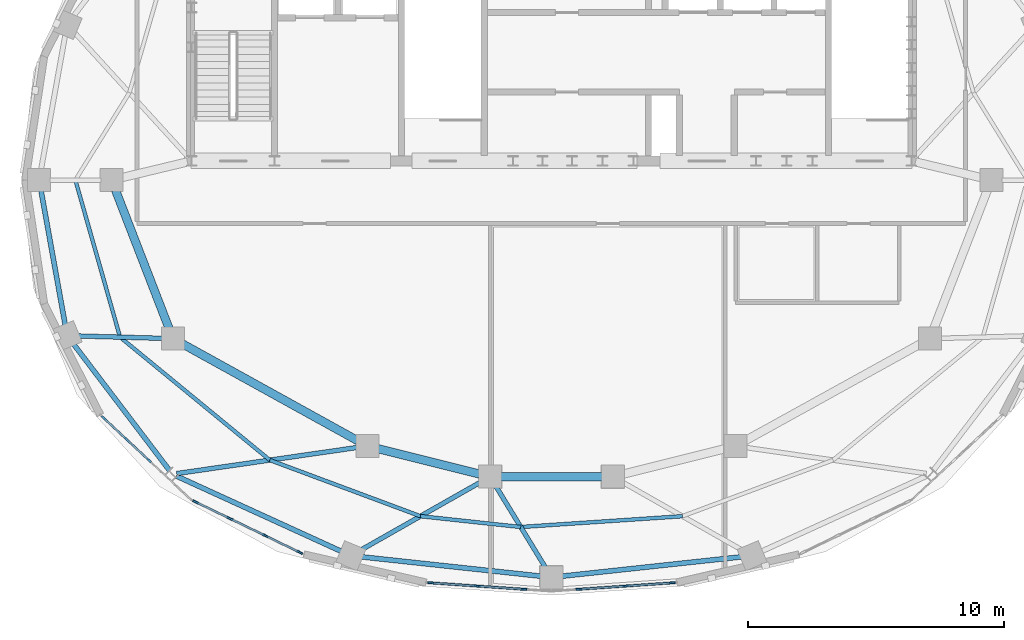
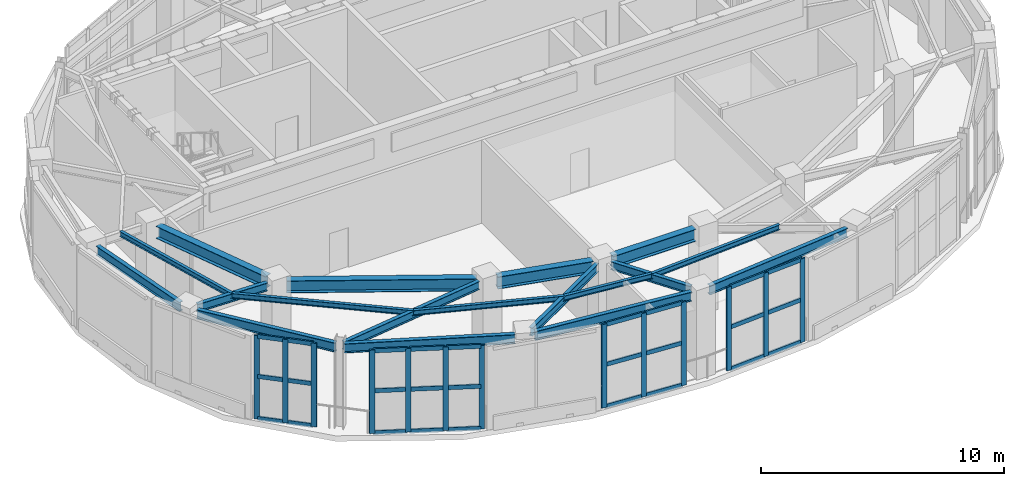
# One storey, part 2 of 10: 40 members, 18 beams, 4 elements without a shape of their own.
"""IFC4 building model written with IfcOpenShell, lengths in metres."""

from ifc_helpers import new_model, si_unit, direction, frame, origin, origin_2d, place, context, subcontext, project, spatial, rectangle, i_section, extrude, material, material_profile, profile_set, type_object, element, aggregate, save


model = new_model("IFC4")

# Units and contexts
model_context = context("Model", 3, precision=1e-05, world=origin(), true_north=direction((0.0, 1.0)))
body_context = subcontext(model_context, "Body", "Model", "MODEL_VIEW")
ifc_project = project(units=[si_unit("LENGTHUNIT", "METRE"), si_unit("AREAUNIT", "SQUARE_METRE"), si_unit("VOLUMEUNIT", "CUBIC_METRE"), si_unit("PLANEANGLEUNIT", "RADIAN"), si_unit("MASSUNIT", "GRAM", prefix="KILO")], contexts=[model_context])

# Site, building, storey
site_placement = place(None, origin())
site = spatial("IfcSite", under=ifc_project, at=site_placement, CompositionType="ELEMENT")
building_placement = place(site_placement, origin())
building = spatial("IfcBuilding", under=site, at=building_placement, Name="Haldorwick Loom Tower", CompositionType="ELEMENT")
storey_placement = place(building_placement, frame((0.0, 0.0, 296.0)))
storey = spatial("IfcBuildingStorey", under=building, at=storey_placement, Name="L79", CompositionType="ELEMENT", Elevation=296.0)

# Curtain wall, members
ifc_material_1 = material(Name="Thermally Broken Anodized Aluminium Curtain Wall Framing", Category="aluminium")
curtain_wall_type = type_object("IfcCurtainWallType", Name="ARC-CW-06", PredefinedType="NOTDEFINED", material=ifc_material_1)
curtain_wall_1_placement = place(storey_placement, origin())
curtain_wall_1 = element("IfcCurtainWall", 1, at=curtain_wall_1_placement, inside=storey, type_object=curtain_wall_type, Name="L79 Facade Curtain Wall CW-06 Bay 15", PredefinedType="NOTDEFINED")
ifc_material_profile_1 = material_profile(ifc_material_1, rectangle(XDim=0.077880859375, YDim=0.22998046875, at=origin_2d()), Name="ALU_MUL_78X230", Category="aluminium")
ifc_profile_set_1 = profile_set([ifc_material_profile_1], Name="Thermally Broken Anodized Aluminium Curtain Wall Framing")
member_type_1 = type_object("IfcMemberType", Name="ARC-CWM-06", PredefinedType="MULLION", material=ifc_profile_set_1)
member_1_placement = place(storey_placement, frame((18.490478515625, 16.693603515625, 0.0), z_axis=(0.0, 0.0, 1.0), x_axis=(0.682499327702, 0.730886220753, 0.0)))
member_1 = element("IfcMember", 2, at=member_1_placement, type_object=member_type_1, Name="CW-06 mullion 1", PredefinedType="MULLION", context=body_context, shape_type="SweptSolid", body=[
    extrude(rectangle(XDim=0.077880859375, YDim=0.22998046875, at=origin_2d()), origin(), (0.0, 0.0, 1.0), 4.199951171875),
])
member_2_placement = place(storey_placement, frame((19.375, 15.867431640625, 0.0), z_axis=(0.0, 0.0, 1.0), x_axis=(0.682499327702, 0.730886220753, 0.0)))
member_2 = element("IfcMember", 3, at=member_2_placement, type_object=member_type_1, Name="CW-06 mullion 2", PredefinedType="MULLION", context=body_context, shape_type="SweptSolid", body=[
    extrude(rectangle(XDim=0.077880859375, YDim=0.22998046875, at=origin_2d()), origin(), (0.0, 0.0, 1.0), 4.199951171875),
])
member_3_placement = place(storey_placement, frame((20.259521484375, 15.04150390625, 0.0), z_axis=(0.0, 0.0, 1.0), x_axis=(0.682499327702, 0.730886220753, 0.0)))
member_3 = element("IfcMember", 4, at=member_3_placement, type_object=member_type_1, Name="CW-06 mullion 3", PredefinedType="MULLION", context=body_context, shape_type="SweptSolid", body=[
    extrude(rectangle(XDim=0.077880859375, YDim=0.22998046875, at=origin_2d()), origin(), (0.0, 0.0, 1.0), 4.199951171875),
])

curtain_wall_2_placement = place(storey_placement, origin())
curtain_wall_2 = element("IfcCurtainWall", 5, at=curtain_wall_2_placement, inside=storey, type_object=curtain_wall_type, Name="L79 Facade Curtain Wall CW-06 Bay 16", PredefinedType="NOTDEFINED")
member_4_placement = place(storey_placement, frame((22.07763671875, 13.416015625, 0.0), z_axis=(0.0, 0.0, 1.0), x_axis=(0.435823894868, 0.900031962022, 0.0)))
member_4 = element("IfcMember", 6, at=member_4_placement, type_object=member_type_1, Name="CW-06 mullion 1", PredefinedType="MULLION", context=body_context, shape_type="SweptSolid", body=[
    extrude(rectangle(XDim=0.077880859375, YDim=0.22998046875, at=origin_2d()), origin(), (0.0, 0.0, 1.0), 4.199951171875),
])
member_5_placement = place(storey_placement, frame((23.42626953125, 12.762939453125, 0.0), z_axis=(0.0, 0.0, 1.0), x_axis=(0.435823894868, 0.900031962022, 0.0)))
member_5 = element("IfcMember", 7, at=member_5_placement, type_object=member_type_1, Name="CW-06 mullion 2", PredefinedType="MULLION", context=body_context, shape_type="SweptSolid", body=[
    extrude(rectangle(XDim=0.077880859375, YDim=0.22998046875, at=origin_2d()), origin(), (0.0, 0.0, 1.0), 4.199951171875),
])
member_6_placement = place(storey_placement, frame((24.809814453125, 12.093017578125, 0.0), z_axis=(0.0, 0.0, 1.0), x_axis=(0.435823894868, 0.900031962022, 0.0)))
member_6 = element("IfcMember", 8, at=member_6_placement, type_object=member_type_1, Name="CW-06 mullion 3", PredefinedType="MULLION", context=body_context, shape_type="SweptSolid", body=[
    extrude(rectangle(XDim=0.077880859375, YDim=0.22998046875, at=origin_2d()), origin(), (0.0, 0.0, 1.0), 4.199951171875),
])
member_7_placement = place(storey_placement, frame((26.158203125, 11.440185546875, 0.0), z_axis=(0.0, 0.0, 1.0), x_axis=(0.435823894868, 0.900031962022, 0.0)))
member_7 = element("IfcMember", 9, at=member_7_placement, type_object=member_type_1, Name="CW-06 mullion 4", PredefinedType="MULLION", context=body_context, shape_type="SweptSolid", body=[
    extrude(rectangle(XDim=0.077880859375, YDim=0.22998046875, at=origin_2d()), origin(), (0.0, 0.0, 1.0), 4.199951171875),
])

curtain_wall_3_placement = place(storey_placement, origin())
curtain_wall_3 = element("IfcCurtainWall", 10, at=curtain_wall_3_placement, inside=storey, type_object=curtain_wall_type, Name="L79 Facade Curtain Wall CW-06 Bay 18", PredefinedType="NOTDEFINED")
member_8_placement = place(storey_placement, frame((31.280029296875, 10.2490234375, 0.0), z_axis=(0.0, 0.0, 1.0), x_axis=(0.068469286639, 0.997653224716, 0.0)))
member_8 = element("IfcMember", 11, at=member_8_placement, type_object=member_type_1, Name="CW-06 mullion 1", PredefinedType="MULLION", context=body_context, shape_type="SweptSolid", body=[
    extrude(rectangle(XDim=0.077880859375, YDim=0.22998046875, at=origin_2d()), origin(), (0.0, 0.0, 1.0), 4.199951171875),
])
member_9_placement = place(storey_placement, frame((33.103271484375, 10.1240234375, 0.0), z_axis=(0.0, 0.0, 1.0), x_axis=(0.068469286639, 0.997653224716, 0.0)))
member_9 = element("IfcMember", 12, at=member_9_placement, type_object=member_type_1, Name="CW-06 mullion 2", PredefinedType="MULLION", context=body_context, shape_type="SweptSolid", body=[
    extrude(rectangle(XDim=0.077880859375, YDim=0.22998046875, at=origin_2d()), origin(), (0.0, 0.0, 1.0), 4.199951171875),
])
member_10_placement = place(storey_placement, frame((34.926513671875, 9.998779296875, 0.0), z_axis=(0.0, 0.0, 1.0), x_axis=(0.068469286639, 0.997653224716, 0.0)))
member_10 = element("IfcMember", 13, at=member_10_placement, type_object=member_type_1, Name="CW-06 mullion 3", PredefinedType="MULLION", context=body_context, shape_type="SweptSolid", body=[
    extrude(rectangle(XDim=0.077880859375, YDim=0.22998046875, at=origin_2d()), origin(), (0.0, 0.0, 1.0), 4.199951171875),
])

curtain_wall_4_placement = place(storey_placement, origin())
curtain_wall_4 = element("IfcCurtainWall", 14, at=curtain_wall_4_placement, inside=storey, type_object=curtain_wall_type, Name="L79 Facade Curtain Wall CW-06 Bay 19", PredefinedType="NOTDEFINED")
member_11_placement = place(storey_placement, frame((37.073486328125, 9.998779296875, 0.0), z_axis=(0.0, 0.0, 1.0), x_axis=(-0.068469286639, 0.997653224716, 0.0)))
member_11 = element("IfcMember", 15, at=member_11_placement, type_object=member_type_1, Name="CW-06 mullion 1", PredefinedType="MULLION", context=body_context, shape_type="SweptSolid", body=[
    extrude(rectangle(XDim=0.077880859375, YDim=0.22998046875, at=origin_2d()), origin(), (0.0, 0.0, 1.0), 4.199951171875),
])
member_12_placement = place(storey_placement, frame((38.896728515625, 10.1240234375, 0.0), z_axis=(0.0, 0.0, 1.0), x_axis=(-0.068469286639, 0.997653224716, 0.0)))
member_12 = element("IfcMember", 16, at=member_12_placement, type_object=member_type_1, Name="CW-06 mullion 2", PredefinedType="MULLION", context=body_context, shape_type="SweptSolid", body=[
    extrude(rectangle(XDim=0.077880859375, YDim=0.22998046875, at=origin_2d()), origin(), (0.0, 0.0, 1.0), 4.199951171875),
])
member_13_placement = place(storey_placement, frame((40.719970703125, 10.2490234375, 0.0), z_axis=(0.0, 0.0, 1.0), x_axis=(-0.068469286639, 0.997653224716, 0.0)))
member_13 = element("IfcMember", 17, at=member_13_placement, type_object=member_type_1, Name="CW-06 mullion 3", PredefinedType="MULLION", context=body_context, shape_type="SweptSolid", body=[
    extrude(rectangle(XDim=0.077880859375, YDim=0.22998046875, at=origin_2d()), origin(), (0.0, 0.0, 1.0), 4.199951171875),
])

# Member
ifc_material_profile_2 = material_profile(ifc_material_1, rectangle(XDim=0.077880859375, YDim=0.2099609375, at=origin_2d()), Name="ALU_TRN_78X210", Category="aluminium")
ifc_profile_set_2 = profile_set([ifc_material_profile_2], Name="Thermally Broken Anodized Aluminium Curtain Wall Framing")
member_type_2 = type_object("IfcMemberType", Name="ARC-CWT-06", PredefinedType="USERDEFINED", material=ifc_profile_set_2)
member_14_placement = place(storey_placement, frame((18.518798828125, 16.666748046875, 0.0390625), z_axis=(0.730947705844, -0.68243347758, 0.0), x_axis=(0.68243347758, 0.730947705844, 0.0)))
member_14 = element("IfcMember", 18, at=member_14_placement, type_object=member_type_2, Name="CW-06 transom 1.1", ObjectType="TRANSOM", PredefinedType="USERDEFINED", context=body_context, shape_type="SweptSolid", body=[
    extrude(rectangle(XDim=0.077880859375, YDim=0.2099609375, at=origin_2d()), origin(), (0.0, 0.0, 1.0), 1.13232421875),
])

member_15_placement = place(storey_placement, frame((18.518798828125, 16.666748046875, 2.14990234375), z_axis=(0.730947705844, -0.68243347758, 0.0), x_axis=(0.68243347758, 0.730947705844, 0.0)))
member_15 = element("IfcMember", 19, at=member_15_placement, type_object=member_type_2, Name="CW-06 transom 1.2", ObjectType="TRANSOM", PredefinedType="USERDEFINED", context=body_context, shape_type="SweptSolid", body=[
    extrude(rectangle(XDim=0.077880859375, YDim=0.2099609375, at=origin_2d()), origin(), (0.0, 0.0, 1.0), 1.13232421875),
])

member_16_placement = place(storey_placement, frame((18.518798828125, 16.666748046875, 4.160888671875), z_axis=(0.730947705844, -0.68243347758, 0.0), x_axis=(0.68243347758, 0.730947705844, 0.0)))
member_16 = element("IfcMember", 20, at=member_16_placement, type_object=member_type_2, Name="CW-06 transom 1.3", ObjectType="TRANSOM", PredefinedType="USERDEFINED", context=body_context, shape_type="SweptSolid", body=[
    extrude(rectangle(XDim=0.077880859375, YDim=0.2099609375, at=origin_2d()), origin(), (0.0, 0.0, 1.0), 1.13232421875),
])

member_17_placement = place(storey_placement, frame((19.403564453125, 15.8408203125, 0.0390625), z_axis=(0.730947705844, -0.68243347758, 0.0), x_axis=(0.68243347758, 0.730947705844, 0.0)))
member_17 = element("IfcMember", 21, at=member_17_placement, type_object=member_type_2, Name="CW-06 transom 2.1", ObjectType="TRANSOM", PredefinedType="USERDEFINED", context=body_context, shape_type="SweptSolid", body=[
    extrude(rectangle(XDim=0.077880859375, YDim=0.2099609375, at=origin_2d()), origin(), (0.0, 0.0, 1.0), 1.13232421875),
])

member_18_placement = place(storey_placement, frame((19.403564453125, 15.8408203125, 2.14990234375), z_axis=(0.730947705844, -0.68243347758, 0.0), x_axis=(0.68243347758, 0.730947705844, 0.0)))
member_18 = element("IfcMember", 22, at=member_18_placement, type_object=member_type_2, Name="CW-06 transom 2.2", ObjectType="TRANSOM", PredefinedType="USERDEFINED", context=body_context, shape_type="SweptSolid", body=[
    extrude(rectangle(XDim=0.077880859375, YDim=0.2099609375, at=origin_2d()), origin(), (0.0, 0.0, 1.0), 1.13232421875),
])

member_19_placement = place(storey_placement, frame((19.403564453125, 15.8408203125, 4.160888671875), z_axis=(0.730947705844, -0.68243347758, 0.0), x_axis=(0.68243347758, 0.730947705844, 0.0)))
member_19 = element("IfcMember", 23, at=member_19_placement, type_object=member_type_2, Name="CW-06 transom 2.3", ObjectType="TRANSOM", PredefinedType="USERDEFINED", context=body_context, shape_type="SweptSolid", body=[
    extrude(rectangle(XDim=0.077880859375, YDim=0.2099609375, at=origin_2d()), origin(), (0.0, 0.0, 1.0), 1.13232421875),
])

aggregate(curtain_wall_1, [member_1, member_2, member_3, member_14, member_15, member_16, member_17, member_18, member_19])

member_20_placement = place(storey_placement, frame((22.11279296875, 13.39892578125, 0.0390625), z_axis=(0.900061394309, -0.435763108207, 0.0), x_axis=(0.435763108207, 0.900061394309, 0.0)))
member_20 = element("IfcMember", 24, at=member_20_placement, type_object=member_type_2, Name="CW-06 transom 1.1", ObjectType="TRANSOM", PredefinedType="USERDEFINED", context=body_context, shape_type="SweptSolid", body=[
    extrude(rectangle(XDim=0.077880859375, YDim=0.2099609375, at=origin_2d()), origin(), (0.0, 0.0, 1.0), 1.420166015625),
])

member_21_placement = place(storey_placement, frame((22.11279296875, 13.39892578125, 2.14990234375), z_axis=(0.900061394309, -0.435763108207, 0.0), x_axis=(0.435763108207, 0.900061394309, 0.0)))
member_21 = element("IfcMember", 25, at=member_21_placement, type_object=member_type_2, Name="CW-06 transom 1.2", ObjectType="TRANSOM", PredefinedType="USERDEFINED", context=body_context, shape_type="SweptSolid", body=[
    extrude(rectangle(XDim=0.077880859375, YDim=0.2099609375, at=origin_2d()), origin(), (0.0, 0.0, 1.0), 1.420166015625),
])

member_22_placement = place(storey_placement, frame((22.11279296875, 13.39892578125, 4.160888671875), z_axis=(0.900061394309, -0.435763108207, 0.0), x_axis=(0.435763108207, 0.900061394309, 0.0)))
member_22 = element("IfcMember", 26, at=member_22_placement, type_object=member_type_2, Name="CW-06 transom 1.3", ObjectType="TRANSOM", PredefinedType="USERDEFINED", context=body_context, shape_type="SweptSolid", body=[
    extrude(rectangle(XDim=0.077880859375, YDim=0.2099609375, at=origin_2d()), origin(), (0.0, 0.0, 1.0), 1.420166015625),
])

member_23_placement = place(storey_placement, frame((23.461181640625, 12.74609375, 0.0390625), z_axis=(0.900042846839, -0.435801415616, 0.0), x_axis=(0.435801415616, 0.900042846839, 0.0)))
member_23 = element("IfcMember", 27, at=member_23_placement, type_object=member_type_2, Name="CW-06 transom 2.1", ObjectType="TRANSOM", PredefinedType="USERDEFINED", context=body_context, shape_type="SweptSolid", body=[
    extrude(rectangle(XDim=0.077880859375, YDim=0.2099609375, at=origin_2d()), origin(), (0.0, 0.0, 1.0), 1.459228515625),
])

member_24_placement = place(storey_placement, frame((23.461181640625, 12.74609375, 2.14990234375), z_axis=(0.900042846839, -0.435801415616, 0.0), x_axis=(0.435801415616, 0.900042846839, 0.0)))
member_24 = element("IfcMember", 28, at=member_24_placement, type_object=member_type_2, Name="CW-06 transom 2.2", ObjectType="TRANSOM", PredefinedType="USERDEFINED", context=body_context, shape_type="SweptSolid", body=[
    extrude(rectangle(XDim=0.077880859375, YDim=0.2099609375, at=origin_2d()), origin(), (0.0, 0.0, 1.0), 1.459228515625),
])

member_25_placement = place(storey_placement, frame((23.461181640625, 12.74609375, 4.160888671875), z_axis=(0.900042846839, -0.435801415616, 0.0), x_axis=(0.435801415616, 0.900042846839, 0.0)))
member_25 = element("IfcMember", 29, at=member_25_placement, type_object=member_type_2, Name="CW-06 transom 2.3", ObjectType="TRANSOM", PredefinedType="USERDEFINED", context=body_context, shape_type="SweptSolid", body=[
    extrude(rectangle(XDim=0.077880859375, YDim=0.2099609375, at=origin_2d()), origin(), (0.0, 0.0, 1.0), 1.459228515625),
])

member_26_placement = place(storey_placement, frame((24.8447265625, 12.076171875, 0.0390625), z_axis=(0.899993967604, -0.435902349474, 0.0), x_axis=(0.435902349474, 0.899993967604, 0.0)))
member_26 = element("IfcMember", 30, at=member_26_placement, type_object=member_type_2, Name="CW-06 transom 3.1", ObjectType="TRANSOM", PredefinedType="USERDEFINED", context=body_context, shape_type="SweptSolid", body=[
    extrude(rectangle(XDim=0.077880859375, YDim=0.2099609375, at=origin_2d()), origin(), (0.0, 0.0, 1.0), 1.42041015625),
])

member_27_placement = place(storey_placement, frame((24.8447265625, 12.076171875, 2.14990234375), z_axis=(0.899993967604, -0.435902349474, 0.0), x_axis=(0.435902349474, 0.899993967604, 0.0)))
member_27 = element("IfcMember", 31, at=member_27_placement, type_object=member_type_2, Name="CW-06 transom 3.2", ObjectType="TRANSOM", PredefinedType="USERDEFINED", context=body_context, shape_type="SweptSolid", body=[
    extrude(rectangle(XDim=0.077880859375, YDim=0.2099609375, at=origin_2d()), origin(), (0.0, 0.0, 1.0), 1.42041015625),
])

member_28_placement = place(storey_placement, frame((24.8447265625, 12.076171875, 4.160888671875), z_axis=(0.899993967604, -0.435902349474, 0.0), x_axis=(0.435902349474, 0.899993967604, 0.0)))
member_28 = element("IfcMember", 32, at=member_28_placement, type_object=member_type_2, Name="CW-06 transom 3.3", ObjectType="TRANSOM", PredefinedType="USERDEFINED", context=body_context, shape_type="SweptSolid", body=[
    extrude(rectangle(XDim=0.077880859375, YDim=0.2099609375, at=origin_2d()), origin(), (0.0, 0.0, 1.0), 1.42041015625),
])

aggregate(curtain_wall_2, [member_4, member_5, member_6, member_7, member_20, member_21, member_22, member_23, member_24, member_25, member_26, member_27, member_28])

member_29_placement = place(storey_placement, frame((31.319091796875, 10.246337890625, 0.0390625), z_axis=(0.997659305908, -0.068380621051, 0.0), x_axis=(0.068380621051, 0.997659305908, 0.0)))
member_29 = element("IfcMember", 33, at=member_29_placement, type_object=member_type_2, Name="CW-06 transom 1.1", ObjectType="TRANSOM", PredefinedType="USERDEFINED", context=body_context, shape_type="SweptSolid", body=[
    extrude(rectangle(XDim=0.077880859375, YDim=0.2099609375, at=origin_2d()), origin(), (0.0, 0.0, 1.0), 1.74951171875),
])

member_30_placement = place(storey_placement, frame((31.319091796875, 10.246337890625, 2.14990234375), z_axis=(0.997659305908, -0.068380621051, 0.0), x_axis=(0.068380621051, 0.997659305908, 0.0)))
member_30 = element("IfcMember", 34, at=member_30_placement, type_object=member_type_2, Name="CW-06 transom 1.2", ObjectType="TRANSOM", PredefinedType="USERDEFINED", context=body_context, shape_type="SweptSolid", body=[
    extrude(rectangle(XDim=0.077880859375, YDim=0.2099609375, at=origin_2d()), origin(), (0.0, 0.0, 1.0), 1.74951171875),
])

member_31_placement = place(storey_placement, frame((31.319091796875, 10.246337890625, 4.160888671875), z_axis=(0.997659305908, -0.068380621051, 0.0), x_axis=(0.068380621051, 0.997659305908, 0.0)))
member_31 = element("IfcMember", 35, at=member_31_placement, type_object=member_type_2, Name="CW-06 transom 1.3", ObjectType="TRANSOM", PredefinedType="USERDEFINED", context=body_context, shape_type="SweptSolid", body=[
    extrude(rectangle(XDim=0.077880859375, YDim=0.2099609375, at=origin_2d()), origin(), (0.0, 0.0, 1.0), 1.74951171875),
])

member_32_placement = place(storey_placement, frame((33.142333984375, 10.121337890625, 0.0390625), z_axis=(0.997649775994, -0.068519518816, 0.0), x_axis=(0.068519518816, 0.997649775994, 0.0)))
member_32 = element("IfcMember", 36, at=member_32_placement, type_object=member_type_2, Name="CW-06 transom 2.1", ObjectType="TRANSOM", PredefinedType="USERDEFINED", context=body_context, shape_type="SweptSolid", body=[
    extrude(rectangle(XDim=0.077880859375, YDim=0.2099609375, at=origin_2d()), origin(), (0.0, 0.0, 1.0), 1.74951171875),
])

member_33_placement = place(storey_placement, frame((33.142333984375, 10.121337890625, 2.14990234375), z_axis=(0.997649775994, -0.068519518816, 0.0), x_axis=(0.068519518816, 0.997649775994, 0.0)))
member_33 = element("IfcMember", 37, at=member_33_placement, type_object=member_type_2, Name="CW-06 transom 2.2", ObjectType="TRANSOM", PredefinedType="USERDEFINED", context=body_context, shape_type="SweptSolid", body=[
    extrude(rectangle(XDim=0.077880859375, YDim=0.2099609375, at=origin_2d()), origin(), (0.0, 0.0, 1.0), 1.74951171875),
])

member_34_placement = place(storey_placement, frame((33.142333984375, 10.121337890625, 4.160888671875), z_axis=(0.997649775994, -0.068519518816, 0.0), x_axis=(0.068519518816, 0.997649775994, 0.0)))
member_34 = element("IfcMember", 38, at=member_34_placement, type_object=member_type_2, Name="CW-06 transom 2.3", ObjectType="TRANSOM", PredefinedType="USERDEFINED", context=body_context, shape_type="SweptSolid", body=[
    extrude(rectangle(XDim=0.077880859375, YDim=0.2099609375, at=origin_2d()), origin(), (0.0, 0.0, 1.0), 1.74951171875),
])

aggregate(curtain_wall_3, [member_8, member_9, member_10, member_29, member_30, member_31, member_32, member_33, member_34])

member_35_placement = place(storey_placement, frame((37.1123046875, 10.00146484375, 0.0390625), z_axis=(0.997649775994, 0.068519518816, 0.0), x_axis=(-0.068519518816, 0.997649775994, 0.0)))
member_35 = element("IfcMember", 39, at=member_35_placement, type_object=member_type_2, Name="CW-06 transom 1.1", ObjectType="TRANSOM", PredefinedType="USERDEFINED", context=body_context, shape_type="SweptSolid", body=[
    extrude(rectangle(XDim=0.077880859375, YDim=0.2099609375, at=origin_2d()), origin(), (0.0, 0.0, 1.0), 1.74951171875),
])

member_36_placement = place(storey_placement, frame((37.1123046875, 10.00146484375, 2.14990234375), z_axis=(0.997649775994, 0.068519518816, 0.0), x_axis=(-0.068519518816, 0.997649775994, 0.0)))
member_36 = element("IfcMember", 40, at=member_36_placement, type_object=member_type_2, Name="CW-06 transom 1.2", ObjectType="TRANSOM", PredefinedType="USERDEFINED", context=body_context, shape_type="SweptSolid", body=[
    extrude(rectangle(XDim=0.077880859375, YDim=0.2099609375, at=origin_2d()), origin(), (0.0, 0.0, 1.0), 1.74951171875),
])

member_37_placement = place(storey_placement, frame((37.1123046875, 10.00146484375, 4.160888671875), z_axis=(0.997649775994, 0.068519518816, 0.0), x_axis=(-0.068519518816, 0.997649775994, 0.0)))
member_37 = element("IfcMember", 41, at=member_37_placement, type_object=member_type_2, Name="CW-06 transom 1.3", ObjectType="TRANSOM", PredefinedType="USERDEFINED", context=body_context, shape_type="SweptSolid", body=[
    extrude(rectangle(XDim=0.077880859375, YDim=0.2099609375, at=origin_2d()), origin(), (0.0, 0.0, 1.0), 1.74951171875),
])

member_38_placement = place(storey_placement, frame((38.935546875, 10.126708984375, 0.0390625), z_axis=(0.997659305908, 0.068380621051, 0.0), x_axis=(-0.068380621051, 0.997659305908, 0.0)))
member_38 = element("IfcMember", 42, at=member_38_placement, type_object=member_type_2, Name="CW-06 transom 2.1", ObjectType="TRANSOM", PredefinedType="USERDEFINED", context=body_context, shape_type="SweptSolid", body=[
    extrude(rectangle(XDim=0.077880859375, YDim=0.2099609375, at=origin_2d()), origin(), (0.0, 0.0, 1.0), 1.74951171875),
])

member_39_placement = place(storey_placement, frame((38.935546875, 10.126708984375, 2.14990234375), z_axis=(0.997659305908, 0.068380621051, 0.0), x_axis=(-0.068380621051, 0.997659305908, 0.0)))
member_39 = element("IfcMember", 43, at=member_39_placement, type_object=member_type_2, Name="CW-06 transom 2.2", ObjectType="TRANSOM", PredefinedType="USERDEFINED", context=body_context, shape_type="SweptSolid", body=[
    extrude(rectangle(XDim=0.077880859375, YDim=0.2099609375, at=origin_2d()), origin(), (0.0, 0.0, 1.0), 1.74951171875),
])

member_40_placement = place(storey_placement, frame((38.935546875, 10.126708984375, 4.160888671875), z_axis=(0.997659305908, 0.068380621051, 0.0), x_axis=(-0.068380621051, 0.997659305908, 0.0)))
member_40 = element("IfcMember", 44, at=member_40_placement, type_object=member_type_2, Name="CW-06 transom 2.3", ObjectType="TRANSOM", PredefinedType="USERDEFINED", context=body_context, shape_type="SweptSolid", body=[
    extrude(rectangle(XDim=0.077880859375, YDim=0.2099609375, at=origin_2d()), origin(), (0.0, 0.0, 1.0), 1.74951171875),
])

aggregate(curtain_wall_4, [member_11, member_12, member_13, member_35, member_36, member_37, member_38, member_39, member_40])

# Beams
ifc_material_2 = material(Name="Steel CSA G40.21 350W", Category="steel")
ifc_material_profile_3 = material_profile(ifc_material_2, i_section(OverallWidth=0.14599609375, OverallDepth=0.258056640625, WebThickness=0.006103515625, FlangeThickness=0.009033203125, at=origin_2d()), Name="W250X33", Category="steel")
ifc_profile_set_3 = profile_set([ifc_material_profile_3], Name="Steel CSA G40.21 350W")
beam_type_1 = type_object("IfcBeamType", Name="STR-BM-J250", PredefinedType="JOIST", material=ifc_profile_set_3)
beam_1_placement = place(storey_placement, frame((17.38330078125, 26.0, 4.071044921875), z_axis=(0.273579780374, -0.961849314482, 0.0), x_axis=(0.961849314482, 0.273579780374, 0.0)))
element("IfcBeam", 45, at=beam_1_placement, inside=storey, type_object=beam_type_1, Name="L79 Mid-Bay Secondary Joist 9", PredefinedType="JOIST", context=body_context, shape_type="SweptSolid", body=[
    extrude(i_section(OverallWidth=0.14599609375, OverallDepth=0.258056640625, WebThickness=0.006103515625, FlangeThickness=0.009033203125, at=origin_2d()), origin(), (0.0, 0.0, 1.0), 6.385986328125),
])
beam_2_placement = place(storey_placement, frame((19.13037109375, 19.857666015625, 4.071044921875), z_axis=(0.772901177017, -0.634526414396, 0.0), x_axis=(0.634526414396, 0.772901177017, 0.0)))
element("IfcBeam", 46, at=beam_2_placement, inside=storey, type_object=beam_type_1, Name="L79 Mid-Bay Secondary Joist 10", PredefinedType="JOIST", context=body_context, shape_type="SweptSolid", body=[
    extrude(i_section(OverallWidth=0.14599609375, OverallDepth=0.258056640625, WebThickness=0.006103515625, FlangeThickness=0.009033203125, at=origin_2d()), origin(), (0.0, 0.0, 1.0), 7.577880859375),
])
beam_3_placement = place(storey_placement, frame((24.9873046875, 15.04931640625, 4.071044921875), z_axis=(0.937096315822, -0.349070902358, 0.0), x_axis=(0.349070902358, 0.937096315822, 0.0)))
element("IfcBeam", 47, at=beam_3_placement, inside=storey, type_object=beam_type_1, Name="L79 Mid-Bay Secondary Joist 11", PredefinedType="JOIST", context=body_context, shape_type="SweptSolid", body=[
    extrude(i_section(OverallWidth=0.14599609375, OverallDepth=0.258056640625, WebThickness=0.006103515625, FlangeThickness=0.009033203125, at=origin_2d()), origin(), (0.0, 0.0, 1.0), 6.285400390625),
])
beam_4_placement = place(storey_placement, frame((30.87744140625, 12.855224609375, 4.071044921875), z_axis=(0.994246477225, -0.107116490451, 0.0), x_axis=(0.107116490451, 0.994246477225, 0.0)))
element("IfcBeam", 48, at=beam_4_placement, inside=storey, type_object=beam_type_1, Name="L79 Mid-Bay Secondary Joist 12", PredefinedType="JOIST", context=body_context, shape_type="SweptSolid", body=[
    extrude(i_section(OverallWidth=0.14599609375, OverallDepth=0.258056640625, WebThickness=0.006103515625, FlangeThickness=0.009033203125, at=origin_2d()), origin(), (0.0, 0.0, 1.0), 3.9453125),
])
beam_5_placement = place(storey_placement, frame((34.800048828125, 12.4326171875, 4.071044921875), z_axis=(0.997773550047, 0.066692899376, 0.0), x_axis=(-0.066692899376, 0.997773550047, 0.0)))
element("IfcBeam", 49, at=beam_5_placement, inside=storey, type_object=beam_type_1, Name="L79 Mid-Bay Secondary Joist 13", PredefinedType="JOIST", context=body_context, shape_type="SweptSolid", body=[
    extrude(i_section(OverallWidth=0.14599609375, OverallDepth=0.258056640625, WebThickness=0.006103515625, FlangeThickness=0.009033203125, at=origin_2d()), origin(), (0.0, 0.0, 1.0), 6.336669921875),
])
ifc_material_profile_4 = material_profile(ifc_material_2, i_section(OverallWidth=0.179931640625, OverallDepth=0.4130859375, WebThickness=0.009765625, FlangeThickness=0.01611328125, at=origin_2d()), Name="W410X74", Category="steel")
ifc_profile_set_4 = profile_set([ifc_material_profile_4], Name="Steel CSA G40.21 350W")
beam_type_2 = type_object("IfcBeamType", Name="STR-BM-J410", PredefinedType="JOIST", material=ifc_profile_set_4)
beam_6_placement = place(storey_placement, frame((20.775146484375, 19.811767578125, 3.993408203125), z_axis=(-0.999610923833, 0.02789266845, 0.0), x_axis=(-0.02789266845, -0.999610923833, 0.0)))
element("IfcBeam", 50, at=beam_6_placement, inside=storey, type_object=beam_type_2, Name="L79 Radial Floor Girder 10", PredefinedType="JOIST", context=body_context, shape_type="SweptSolid", body=[
    extrude(i_section(OverallWidth=0.179931640625, OverallDepth=0.4130859375, WebThickness=0.009765625, FlangeThickness=0.01611328125, at=origin_2d()), origin(), (0.0, 0.0, 1.0), 3.291015625),
])
beam_7_placement = place(storey_placement, frame((28.37939453125, 15.539306640625, 3.993408203125), z_axis=(-0.989729868718, -0.142950295447, 0.0), x_axis=(0.142950295447, -0.989729868718, 0.0)))
element("IfcBeam", 51, at=beam_7_placement, inside=storey, type_object=beam_type_2, Name="L79 Radial Floor Girder 11", PredefinedType="JOIST", context=body_context, shape_type="SweptSolid", body=[
    extrude(i_section(OverallWidth=0.179931640625, OverallDepth=0.4130859375, WebThickness=0.009765625, FlangeThickness=0.01611328125, at=origin_2d()), origin(), (0.0, 0.0, 1.0), 7.108154296875),
])
beam_8_placement = place(storey_placement, frame((33.23046875, 14.190185546875, 3.993408203125), z_axis=(-0.869741403269, -0.493507742026, 0.0), x_axis=(0.493507742026, -0.869741403269, 0.0)))
element("IfcBeam", 52, at=beam_8_placement, inside=storey, type_object=beam_type_2, Name="L79 Radial Floor Girder 12", PredefinedType="JOIST", context=body_context, shape_type="SweptSolid", body=[
    extrude(i_section(OverallWidth=0.179931640625, OverallDepth=0.4130859375, WebThickness=0.009765625, FlangeThickness=0.01611328125, at=origin_2d()), origin(), (0.0, 0.0, 1.0), 5.41064453125),
])
beam_9_placement = place(storey_placement, frame((33.8212890625, 14.037109375, 3.993408203125), z_axis=(0.520737901846, -0.853716602615, 0.0), x_axis=(0.853716602615, 0.520737901846, 0.0)))
element("IfcBeam", 53, at=beam_9_placement, inside=storey, type_object=beam_type_2, Name="L79 Radial Floor Girder 13", PredefinedType="JOIST", context=body_context, shape_type="SweptSolid", body=[
    extrude(i_section(OverallWidth=0.179931640625, OverallDepth=0.4130859375, WebThickness=0.009765625, FlangeThickness=0.01611328125, at=origin_2d()), origin(), (0.0, 0.0, 1.0), 3.759033203125),
])
ifc_material_profile_5 = material_profile(ifc_material_2, i_section(OverallWidth=0.193115234375, OverallDepth=0.466064453125, WebThickness=0.011474609375, FlangeThickness=0.01904296875, at=origin_2d()), Name="W460X97", Category="steel")
ifc_profile_set_5 = profile_set([ifc_material_profile_5], Name="Steel CSA G40.21 350W")
beam_type_3 = type_object("IfcBeamType", Name="STR-BM-SP460", PredefinedType="SPANDREL", material=ifc_profile_set_5)
beam_10_placement = place(storey_placement, frame((16.04150390625, 25.581787109375, 3.967041015625), z_axis=(0.176999556218, -0.984210931202, 0.0), x_axis=(0.984210931202, 0.176999556218, 0.0)))
element("IfcBeam", 54, at=beam_10_placement, inside=storey, type_object=beam_type_3, Name="L79 Perimeter Spandrel 9", PredefinedType="SPANDREL", context=body_context, shape_type="SweptSolid", body=[
    extrude(i_section(OverallWidth=0.193115234375, OverallDepth=0.466064453125, WebThickness=0.011474609375, FlangeThickness=0.01904296875, at=origin_2d()), origin(), (0.0, 0.0, 1.0), 5.33251953125),
])
beam_11_placement = place(storey_placement, frame((17.317626953125, 19.576904296875, 3.967041015625), z_axis=(0.604848808079, -0.796340328858, 0.0), x_axis=(0.796340328858, 0.604848808079, 0.0)))
element("IfcBeam", 55, at=beam_11_placement, inside=storey, type_object=beam_type_3, Name="L79 Perimeter Spandrel 10", PredefinedType="SPANDREL", context=body_context, shape_type="SweptSolid", body=[
    extrude(i_section(OverallWidth=0.193115234375, OverallDepth=0.466064453125, WebThickness=0.011474609375, FlangeThickness=0.01904296875, at=origin_2d()), origin(), (0.0, 0.0, 1.0), 6.205078125),
])
beam_12_placement = place(storey_placement, frame((21.33056640625, 14.427490234375, 3.967041015625), z_axis=(0.909597043303, -0.415491538799, 0.0), x_axis=(0.415491538799, 0.909597043303, 0.0)))
element("IfcBeam", 56, at=beam_12_placement, inside=storey, type_object=beam_type_3, Name="L79 Perimeter Spandrel 11", PredefinedType="SPANDREL", context=body_context, shape_type="SweptSolid", body=[
    extrude(i_section(OverallWidth=0.193115234375, OverallDepth=0.466064453125, WebThickness=0.011474609375, FlangeThickness=0.01904296875, at=origin_2d()), origin(), (0.0, 0.0, 1.0), 7.07763671875),
])
for number, where, z_axis, x_axis, name in (
    (57, (28.57763671875, 11.264892578125, 3.967041015625), (0.994246141162, -0.107119609712, 0.0), (0.107119609712, 0.994246141162, 0.0), "L79 Perimeter Spandrel 12"),
    (58, (36.422607421875, 10.5107421875, 3.967041015625), (0.994246141162, 0.107119609712, 0.0), (-0.107119609712, 0.994246141162, 0.0), "L79 Perimeter Spandrel 13"),
):
    element("IfcBeam", number, at=place(storey_placement, frame(where, z_axis=z_axis, x_axis=x_axis)), inside=storey, type_object=beam_type_3, Name=name, PredefinedType="SPANDREL", context=body_context, shape_type="SweptSolid", body=[
        extrude(i_section(OverallWidth=0.193115234375, OverallDepth=0.466064453125, WebThickness=0.011474609375, FlangeThickness=0.01904296875, at=origin_2d()), origin(), (0.0, 0.0, 1.0), 7.040283203125),
    ])
ifc_material_profile_6 = material_profile(ifc_material_2, i_section(OverallWidth=0.324951171875, OverallDepth=0.615966796875, WebThickness=0.013916015625, FlangeThickness=0.021484375, at=origin_2d()), Name="W610X174", Category="steel")
ifc_profile_set_6 = profile_set([ifc_material_profile_6], Name="Steel CSA G40.21 350W")
beam_type_4 = type_object("IfcBeamType", Name="STR-BM-W610A", PredefinedType="BEAM", material=ifc_profile_set_6)
beam_13_placement = place(storey_placement, frame((37.97509765625, 14.39990234375, 3.89208984375), z_axis=(-1.0, 0.0, 0.0), x_axis=(0.0, -1.0, 0.0)))
element("IfcBeam", 59, at=beam_13_placement, inside=storey, type_object=beam_type_4, Name="L79 Inner Ring Girder 5", PredefinedType="BEAM", context=body_context, shape_type="SweptSolid", body=[
    extrude(i_section(OverallWidth=0.324951171875, OverallDepth=0.615966796875, WebThickness=0.013916015625, FlangeThickness=0.021484375, at=origin_2d()), origin(), (0.0, 0.0, 1.0), 3.9501953125),
])
beam_14_placement = place(storey_placement, frame((33.187744140625, 14.503173828125, 3.89208984375), z_axis=(-0.97015301348, 0.242493567823, 0.0), x_axis=(-0.242493567823, -0.97015301348, 0.0)))
element("IfcBeam", 60, at=beam_14_placement, inside=storey, type_object=beam_type_4, Name="L79 Inner Ring Girder 6", PredefinedType="BEAM", context=body_context, shape_type="SweptSolid", body=[
    extrude(i_section(OverallWidth=0.324951171875, OverallDepth=0.615966796875, WebThickness=0.013916015625, FlangeThickness=0.021484375, at=origin_2d()), origin(), (0.0, 0.0, 1.0), 4.09765625),
])
beam_15_placement = place(storey_placement, frame((28.427978515625, 15.8056640625, 3.89208984375), z_axis=(-0.875241535439, 0.48368611169, 0.0), x_axis=(-0.48368611169, -0.875241535439, 0.0)))
element("IfcBeam", 61, at=beam_15_placement, inside=storey, type_object=beam_type_4, Name="L79 Inner Ring Girder 7", PredefinedType="BEAM", context=body_context, shape_type="SweptSolid", body=[
    extrude(i_section(OverallWidth=0.324951171875, OverallDepth=0.615966796875, WebThickness=0.013916015625, FlangeThickness=0.021484375, at=origin_2d()), origin(), (0.0, 0.0, 1.0), 7.833251953125),
])
beam_16_placement = place(storey_placement, frame((21.046630859375, 20.1962890625, 3.89208984375), z_axis=(-0.361001189766, 0.932565354808, 0.0), x_axis=(-0.932565354808, -0.361001189766, 0.0)))
element("IfcBeam", 62, at=beam_16_placement, inside=storey, type_object=beam_type_4, Name="L79 Inner Ring Girder 8", PredefinedType="BEAM", context=body_context, shape_type="SweptSolid", body=[
    extrude(i_section(OverallWidth=0.324951171875, OverallDepth=0.615966796875, WebThickness=0.013916015625, FlangeThickness=0.021484375, at=origin_2d()), origin(), (0.0, 0.0, 1.0), 5.798583984375),
])

save(model, "model.ifc")
